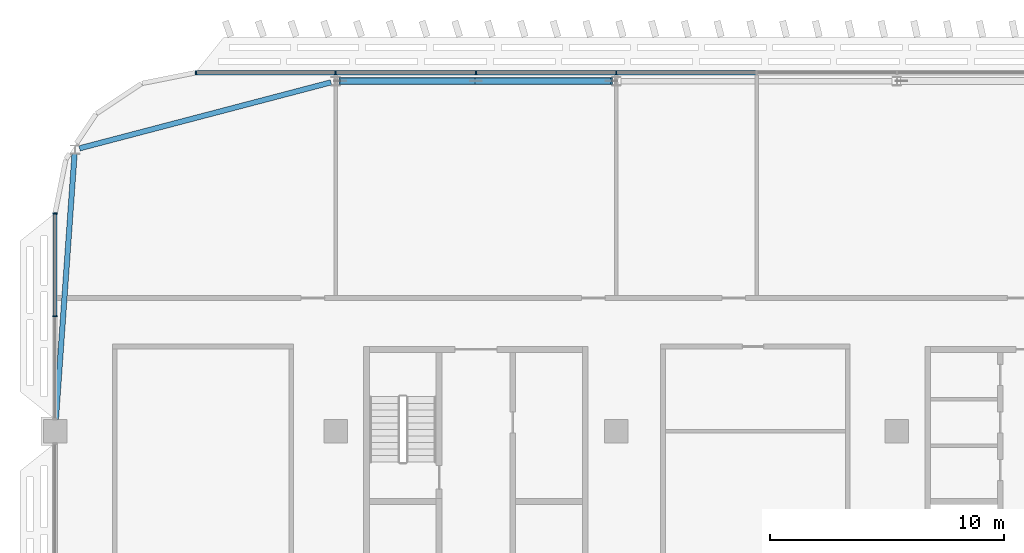
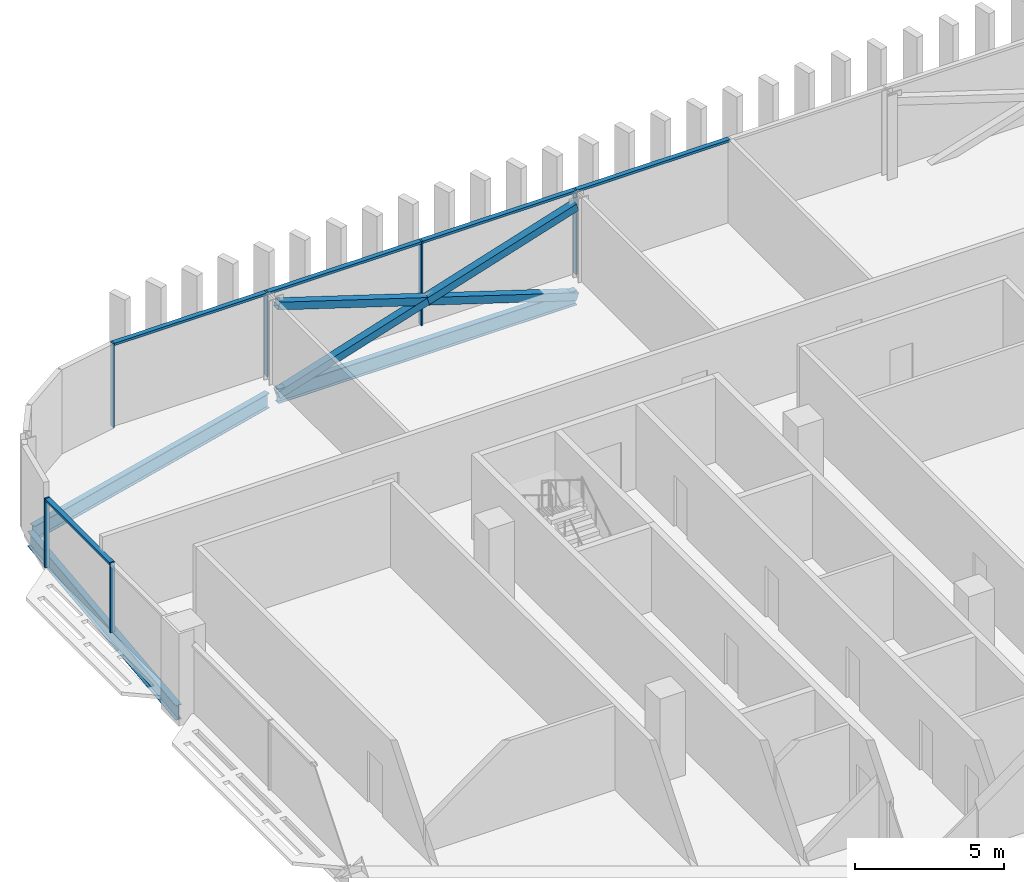
# One storey, part 9 of 35: 14 members, 3 beams, 2 elements without a shape of their own.
"""IFC4 building model written with IfcOpenShell, lengths in metres."""

import ifcopenshell
import ifcopenshell.guid

model = None  # the IFC model being written
_history = None  # IfcOwnerHistory: only IFC2X3 demands one
_inside = {}  # id of a spatial element -> (the spatial element, [elements in it])
_under = {}  # id of a project, library or spatial element -> (it, [spatial elements below it])
_declared = {}  # id of a project -> (the project, [libraries it declares])
_typed = {}  # id of a type object -> (the type object, [elements of that type])
_made_of = {}  # id of a material, layer set ... -> (it, [elements and type objects made of it])


def new_model(schema):
    """Start an empty IFC model of exactly this schema.

    Asked for "IFC4X3", IfcOpenShell would pick the latest addendum, in which some entities
    have other attributes; the version numbers below select the first issue.
    IFC2X3 requires an IfcOwnerHistory on every rooted entity: one is made here for all.
    """
    global model, _history
    if schema == "IFC4X3":
        model = ifcopenshell.file(schema_version=(4, 3, 0, 0))
    else:
        model = ifcopenshell.file(schema=schema)
    _inside.clear()
    _under.clear()
    _declared.clear()
    _typed.clear()
    _made_of.clear()
    _history = None
    if model.schema == "IFC2X3":
        org = make("IfcOrganization", Name="unknown")
        user = make(
            "IfcPersonAndOrganization",
            ThePerson=make("IfcPerson", FamilyName="unknown"),
            TheOrganization=org,
        )
        app = make(
            "IfcApplication",
            ApplicationDeveloper=org,
            Version="unknown",
            ApplicationFullName="unknown",
            ApplicationIdentifier="unknown",
        )
        _history = make(
            "IfcOwnerHistory",
            OwningUser=user,
            OwningApplication=app,
            ChangeAction="ADDED",
            CreationDate=0,
        )
    return model


def make(cls, **values):
    """One entity of the class cls with the attributes given. An attribute that is None is left unset."""
    return model.create_entity(
        cls, **{name: value for name, value in values.items() if value is not None}
    )


def rooted(cls, **values):
    """An entity with a GlobalId (a new one), such as an element, a storey or a relation."""
    return make(cls, GlobalId=ifcopenshell.guid.new(), OwnerHistory=_history, **values)


def si_unit(unit_type, name, prefix=None):
    """IfcSIUnit, for example si_unit("LENGTHUNIT", "METRE", prefix="MILLI")."""
    return make("IfcSIUnit", UnitType=unit_type, Prefix=prefix, Name=name)


def assignment(units):
    """IfcUnitAssignment: the units of a project."""
    return None if units is None else make("IfcUnitAssignment", Units=units)


def point(xyz):
    """IfcCartesianPoint."""
    return None if xyz is None else make("IfcCartesianPoint", Coordinates=xyz)


def direction(xyz):
    """IfcDirection."""
    return None if xyz is None else make("IfcDirection", DirectionRatios=xyz)


def frame(location, z_axis=None, x_axis=None):
    """IfcAxis2Placement3D, a coordinate frame: its origin and axes. An axis left out is left unset."""
    return make(
        "IfcAxis2Placement3D",
        Location=point(location),
        Axis=direction(z_axis),
        RefDirection=direction(x_axis),
    )


def frame_2d(location, x_axis=None):
    """IfcAxis2Placement2D, a coordinate frame in the plane: its origin and x axis."""
    return make(
        "IfcAxis2Placement2D", Location=point(location), RefDirection=direction(x_axis)
    )


def origin():
    """The frame at (0, 0, 0) with its axes left unset."""
    return frame((0.0, 0.0, 0.0))


def origin_2d():
    """The frame at (0, 0) in the plane with its x axis left unset."""
    return frame_2d((0.0, 0.0))


def place(relative_to, where):
    """IfcLocalPlacement: puts the frame where relative to a parent placement (None: the world)."""
    return make(
        "IfcLocalPlacement", PlacementRelTo=relative_to, RelativePlacement=where
    )


def context(
    kind, dimensions, precision=None, world=None, true_north=None, identifier=None
):
    """IfcGeometricRepresentationContext, for example the 3D "Model" context."""
    return make(
        "IfcGeometricRepresentationContext",
        ContextIdentifier=identifier,
        ContextType=kind,
        CoordinateSpaceDimension=dimensions,
        Precision=precision,
        WorldCoordinateSystem=world,
        TrueNorth=true_north,
    )


def subcontext(parent, identifier, kind, view, scale=None):
    """IfcGeometricRepresentationSubContext, for example "Body" below "Model"."""
    return make(
        "IfcGeometricRepresentationSubContext",
        ContextIdentifier=identifier,
        ContextType=kind,
        ParentContext=parent,
        TargetScale=scale,
        TargetView=view,
    )


def project(units=None, contexts=None):
    """IfcProject with its units and contexts."""
    return rooted(
        "IfcProject",
        Name="project",
        RepresentationContexts=contexts,
        UnitsInContext=assignment(units),
    )


def spatial(cls, under=None, at=None, **own):
    """A site, building, storey or space (cls), placed at a placement, below another one or the project."""
    s = rooted(cls, ObjectPlacement=at, **own)
    if under is not None:
        _under.setdefault(under.id(), (under, []))[1].append(s)
    return s


def profile(cls, at=None, kind="AREA", **sizes):
    """A parametric profile (cls). Its sizes go by their IFC names, for example OverallWidth=200.0."""
    return make(cls, ProfileType=kind, Position=at, **sizes)


def rectangle(**sizes):
    """IfcRectangleProfileDef."""
    return profile("IfcRectangleProfileDef", **sizes)


def hollow_rectangle(**sizes):
    """IfcRectangleHollowProfileDef."""
    return profile("IfcRectangleHollowProfileDef", **sizes)


def i_section(**sizes):
    """IfcIShapeProfileDef."""
    return profile("IfcIShapeProfileDef", **sizes)


def extrude(swept, where, along, depth):
    """IfcExtrudedAreaSolid: the profile swept, set in the frame where, extruded along a direction by depth."""
    return make(
        "IfcExtrudedAreaSolid",
        SweptArea=swept,
        Position=where,
        ExtrudedDirection=direction(along),
        Depth=depth,
    )


def shape(context_of_items, identifier, shape_type, items):
    """IfcShapeRepresentation: the items that make up one representation, for example the "Body"."""
    return make(
        "IfcShapeRepresentation",
        ContextOfItems=context_of_items,
        RepresentationIdentifier=identifier,
        RepresentationType=shape_type,
        Items=items,
    )


def material(Name=None, Category=None):
    """IfcMaterial."""
    return make("IfcMaterial", Name=Name, Category=Category)


def material_profile(
    of_material, cross_section, Name=None, Category=None, Priority=None
):
    """IfcMaterialProfile: a cross section and its material."""
    return make(
        "IfcMaterialProfile",
        Name=Name,
        Material=of_material,
        Profile=cross_section,
        Priority=Priority,
        Category=Category,
    )


def profile_set(profiles, Name=None, composite=None):
    """IfcMaterialProfileSet."""
    return make(
        "IfcMaterialProfileSet",
        Name=Name,
        MaterialProfiles=profiles,
        CompositeProfile=composite,
    )


def made_of(thing, what):
    """Note that an element or type object is made of a material, layer set ...; save() writes the relation."""
    if what is not None:
        _made_of.setdefault(what.id(), (what, []))[1].append(thing)
    return thing


def type_object(cls, material=None, **own):
    """A type object (cls), such as IfcWallType, which elements share."""
    return made_of(rooted(cls, **own), material)


def element(
    cls,
    number,
    at=None,
    inside=None,
    cuts=None,
    type_object=None,
    material=None,
    context=None,
    identifier="Body",
    shape_type=None,
    held_by="IfcProductDefinitionShape",
    body=None,
    shapes=None,
    **own,
):
    """One element of the class cls, such as IfcWall. Its Tag is "e" and its number.

    at: its placement. inside: the storey or other place that contains it. cuts: it is an
    opening in that element (IfcRelVoidsElement). A single representation is given by context,
    identifier, shape_type and body (its items); several are given by shapes. held_by: the class
    of the entity that holds the representations. save() writes the other relations.
    """
    e = rooted(cls, Tag="e%d" % number, ObjectPlacement=at, **own)
    if body is not None:
        shapes = [shape(context, identifier, shape_type, body)]
    if shapes is not None:
        e.Representation = make(held_by, Representations=shapes)
    if inside is not None:
        _inside.setdefault(inside.id(), (inside, []))[1].append(e)
    if cuts is not None:
        rooted(
            "IfcRelVoidsElement", RelatingBuildingElement=cuts, RelatedOpeningElement=e
        )
    if type_object is not None:
        _typed.setdefault(type_object.id(), (type_object, []))[1].append(e)
    return made_of(e, material)


def aggregate(whole, parts):
    """IfcRelAggregates: a whole, such as a stair, and the parts it consists of."""
    return rooted("IfcRelAggregates", RelatingObject=whole, RelatedObjects=parts)


def save(model, path):
    """Write the relations noted so far, then the file.

    IfcRelAggregates (storeys below a building ...), IfcRelContainedInSpatialStructure (elements
    in a storey), IfcRelDefinesByType, IfcRelAssociatesMaterial and IfcRelDeclares: one each for
    every whole, place, type object, material and project.
    """
    for whole, parts in _under.values():
        aggregate(whole, parts)
    for where, things in _inside.values():
        rooted(
            "IfcRelContainedInSpatialStructure",
            RelatedElements=things,
            RelatingStructure=where,
        )
    for kind, things in _typed.values():
        rooted("IfcRelDefinesByType", RelatedObjects=things, RelatingType=kind)
    for what, things in _made_of.values():
        rooted("IfcRelAssociatesMaterial", RelatedObjects=things, RelatingMaterial=what)
    for by, libraries in _declared.values():
        rooted("IfcRelDeclares", RelatingContext=by, RelatedDefinitions=libraries)
    model.write(path)


model = new_model("IFC4")

# Units and contexts
model_context = context("Model", 3, precision=1e-05, world=origin(), true_north=direction((0.0, 1.0)))
body_context = subcontext(model_context, "Body", "Model", "MODEL_VIEW")
ifc_project = project(units=[si_unit("LENGTHUNIT", "METRE"), si_unit("AREAUNIT", "SQUARE_METRE"), si_unit("VOLUMEUNIT", "CUBIC_METRE"), si_unit("PLANEANGLEUNIT", "RADIAN"), si_unit("MASSUNIT", "GRAM", prefix="KILO")], contexts=[model_context])

# Site, building, storey
site_placement = place(None, origin())
site = spatial("IfcSite", under=ifc_project, at=site_placement, CompositionType="ELEMENT")
building_placement = place(site_placement, origin())
building = spatial("IfcBuilding", under=site, at=building_placement, Name="Mahtab Terrace Research Tower", CompositionType="ELEMENT")
storey_placement = place(building_placement, frame((0.0, 0.0, 251.39990234375)))
storey = spatial("IfcBuildingStorey", under=building, at=storey_placement, Name="L61", CompositionType="ELEMENT", Elevation=251.39990234375)

# Members
ifc_material_1 = material(Name="Steel ASTM A500 Gr C", Category="steel")
ifc_material_profile_1 = material_profile(ifc_material_1, hollow_rectangle(XDim=0.3046875, YDim=0.3046875, WallThickness=0.015869140625, at=origin_2d()), Name="HSS12X12X5/8")
ifc_profile_set_1 = profile_set([ifc_material_profile_1], Name="Steel ASTM A500 Gr C")
member_type_1 = type_object("IfcMemberType", Name="HSS 12x12x5/8 brace XB121258", PredefinedType="BRACE", material=ifc_profile_set_1)
member_1_placement = place(storey_placement, frame((-18.199462890625, 26.472900390625, -0.580322265625), z_axis=(-0.953338568311, 0.0, 0.301903252998), x_axis=(0.0, -1.0, 0.0)))
element("IfcMember", 1, at=member_1_placement, inside=storey, type_object=member_type_1, Name="Exoskeleton brace L61 07 a", PredefinedType="BRACE", context=body_context, shape_type="SweptSolid", body=[
    extrude(hollow_rectangle(XDim=0.3046875, YDim=0.3046875, WallThickness=0.015869140625, at=origin_2d()), origin(), (0.0, 0.0, 1.0), 12.1689453125),
])
for number, where, z_axis, x_axis, name in (
    (2, (-29.800537109375, 26.472900390625, -0.580322265625), (0.953338568311, 0.0, 0.301903252998), (0.0, 1.0, 0.0), "Exoskeleton brace L61 07 b1"),
    (3, (-24.0, 26.472900390625, 1.256591796875), (0.953338568311, 0.0, 0.301903252998), (0.0, 1.0, 0.0), "Exoskeleton brace L61 07 b2"),
):
    element("IfcMember", number, at=place(storey_placement, frame(where, z_axis=z_axis, x_axis=x_axis)), inside=storey, type_object=member_type_1, Name=name, PredefinedType="BRACE", context=body_context, shape_type="SweptSolid", body=[
        extrude(hollow_rectangle(XDim=0.3046875, YDim=0.3046875, WallThickness=0.015869140625, at=origin_2d()), origin(), (0.0, 0.0, 1.0), 6.08447265625),
    ])

# Curtain wall, members
ifc_material_2 = material(Name="Office ribbon curtain wall")
curtain_wall_type = type_object("IfcCurtainWallType", Name="Office ribbon curtain wall", PredefinedType="NOTDEFINED", material=ifc_material_2)
curtain_wall_1_placement = place(storey_placement, origin())
curtain_wall_1 = element("IfcCurtainWall", 4, at=curtain_wall_1_placement, inside=storey, type_object=curtain_wall_type, Name="EN.L61.3.4", PredefinedType="NOTDEFINED")
ifc_material_3 = material(Name="Natural anodised aluminium", Category="aluminium")
ifc_material_profile_2 = material_profile(ifc_material_3, rectangle(XDim=0.179931640625, YDim=0.06005859375, at=origin_2d()), Name="MULLION 60x180")
ifc_profile_set_2 = profile_set([ifc_material_profile_2], Name="Natural anodised aluminium")
member_type_2 = type_object("IfcMemberType", Name="Office ribbon curtain wall mullion", PredefinedType="MULLION", material=ifc_profile_set_2)
member_2_placement = place(storey_placement, frame((-18.0, 26.833984375, 0.0), z_axis=(0.0, 0.0, 1.0), x_axis=(0.0, -1.0, 0.0)))
member_2 = element("IfcMember", 5, at=member_2_placement, type_object=member_type_2, Name="CWO-7 mullion 12", PredefinedType="MULLION", context=body_context, shape_type="SweptSolid", body=[
    extrude(rectangle(XDim=0.179931640625, YDim=0.06005859375, at=origin_2d()), origin(), (0.0, 0.0, 1.0), 3.460205078125),
])
member_3_placement = place(storey_placement, frame((-24.0, 26.833984375, 0.0), z_axis=(0.0, 0.0, 1.0), x_axis=(0.0, -1.0, 0.0)))
member_3 = element("IfcMember", 6, at=member_3_placement, type_object=member_type_2, Name="CWO-7 mullion 13", PredefinedType="MULLION", context=body_context, shape_type="SweptSolid", body=[
    extrude(rectangle(XDim=0.179931640625, YDim=0.06005859375, at=origin_2d()), origin(), (0.0, 0.0, 1.0), 3.460205078125),
])
member_4_placement = place(storey_placement, frame((-30.0, 26.833984375, 0.0), z_axis=(0.0, 0.0, 1.0), x_axis=(0.0, -1.0, 0.0)))
member_4 = element("IfcMember", 7, at=member_4_placement, type_object=member_type_2, Name="CWO-7 mullion 14", PredefinedType="MULLION", context=body_context, shape_type="SweptSolid", body=[
    extrude(rectangle(XDim=0.179931640625, YDim=0.06005859375, at=origin_2d()), origin(), (0.0, 0.0, 1.0), 3.460205078125),
])
member_5_placement = place(storey_placement, frame((-35.969970703125, 26.833984375, 0.0), z_axis=(0.0, 0.0, 1.0), x_axis=(0.0, -1.0, 0.0)))
member_5 = element("IfcMember", 8, at=member_5_placement, type_object=member_type_2, Name="CWO-7 mullion 15", PredefinedType="MULLION", context=body_context, shape_type="SweptSolid", body=[
    extrude(rectangle(XDim=0.179931640625, YDim=0.06005859375, at=origin_2d()), origin(), (0.0, 0.0, 1.0), 3.460205078125),
])

curtain_wall_2_placement = place(storey_placement, origin())
curtain_wall_2 = element("IfcCurtainWall", 9, at=curtain_wall_2_placement, inside=storey, type_object=curtain_wall_type, Name="EN.L61.8.10", PredefinedType="NOTDEFINED")
member_6_placement = place(storey_placement, frame((-42.0, 20.803955078125, 0.0), z_axis=(0.0, 0.0, 1.0), x_axis=(1.0, 0.0, 0.0)))
member_6 = element("IfcMember", 10, at=member_6_placement, type_object=member_type_2, Name="CWO-7 mullion 1", PredefinedType="MULLION", context=body_context, shape_type="SweptSolid", body=[
    extrude(rectangle(XDim=0.179931640625, YDim=0.06005859375, at=origin_2d()), origin(), (0.0, 0.0, 1.0), 2.85302734375),
])
member_7_placement = place(storey_placement, frame((-42.0, 16.4169921875, 0.0), z_axis=(0.0, 0.0, 1.0), x_axis=(1.0, 0.0, 0.0)))
member_7 = element("IfcMember", 11, at=member_7_placement, type_object=member_type_2, Name="CWO-7 mullion 2", PredefinedType="MULLION", context=body_context, shape_type="SweptSolid", body=[
    extrude(rectangle(XDim=0.179931640625, YDim=0.06005859375, at=origin_2d()), origin(), (0.0, 0.0, 1.0), 2.85302734375),
])

# Member
ifc_material_profile_3 = material_profile(ifc_material_3, rectangle(XDim=0.179931640625, YDim=0.10009765625, at=origin_2d()), Name="TRANSOM 100x180")
ifc_profile_set_3 = profile_set([ifc_material_profile_3], Name="Natural anodised aluminium")
member_type_3 = type_object("IfcMemberType", Name="Office ribbon curtain wall transom", PredefinedType="USERDEFINED", material=ifc_profile_set_3)
member_8_placement = place(storey_placement, frame((-12.030029296875, 26.833984375, 3.41015625), z_axis=(-1.0, 0.0, 0.0), x_axis=(0.0, -1.0, 0.0)))
member_8 = element("IfcMember", 12, at=member_8_placement, type_object=member_type_3, Name="CWO-7 transom 11", ObjectType="TRANSOM", PredefinedType="USERDEFINED", context=body_context, shape_type="SweptSolid", body=[
    extrude(rectangle(XDim=0.179931640625, YDim=0.10009765625, at=origin_2d()), origin(), (0.0, 0.0, 1.0), 5.93994140625),
])

member_9_placement = place(storey_placement, frame((-18.030029296875, 26.833984375, 3.41015625), z_axis=(-1.0, 0.0, 0.0), x_axis=(0.0, -1.0, 0.0)))
member_9 = element("IfcMember", 13, at=member_9_placement, type_object=member_type_3, Name="CWO-7 transom 12", ObjectType="TRANSOM", PredefinedType="USERDEFINED", context=body_context, shape_type="SweptSolid", body=[
    extrude(rectangle(XDim=0.179931640625, YDim=0.10009765625, at=origin_2d()), origin(), (0.0, 0.0, 1.0), 5.93994140625),
])

member_10_placement = place(storey_placement, frame((-24.030029296875, 26.833984375, 3.41015625), z_axis=(-1.0, 0.0, 0.0), x_axis=(0.0, -1.0, 0.0)))
member_10 = element("IfcMember", 14, at=member_10_placement, type_object=member_type_3, Name="CWO-7 transom 13", ObjectType="TRANSOM", PredefinedType="USERDEFINED", context=body_context, shape_type="SweptSolid", body=[
    extrude(rectangle(XDim=0.179931640625, YDim=0.10009765625, at=origin_2d()), origin(), (0.0, 0.0, 1.0), 5.93994140625),
])

member_11_placement = place(storey_placement, frame((-30.030029296875, 26.833984375, 3.41015625), z_axis=(-1.0, 0.0, 0.0), x_axis=(0.0, -1.0, 0.0)))
member_11 = element("IfcMember", 15, at=member_11_placement, type_object=member_type_3, Name="CWO-7 transom 14", ObjectType="TRANSOM", PredefinedType="USERDEFINED", context=body_context, shape_type="SweptSolid", body=[
    extrude(rectangle(XDim=0.179931640625, YDim=0.10009765625, at=origin_2d()), origin(), (0.0, 0.0, 1.0), 5.909912109375),
])

aggregate(curtain_wall_1, [member_2, member_3, member_4, member_5, member_8, member_9, member_10, member_11])

member_12_placement = place(storey_placement, frame((-42.0, 20.77392578125, 2.802978515625), z_axis=(0.0, -1.0, 0.0), x_axis=(1.0, 0.0, 0.0)))
member_12 = element("IfcMember", 16, at=member_12_placement, type_object=member_type_3, Name="CWO-7 transom 1", ObjectType="TRANSOM", PredefinedType="USERDEFINED", context=body_context, shape_type="SweptSolid", body=[
    extrude(rectangle(XDim=0.179931640625, YDim=0.10009765625, at=origin_2d()), origin(), (0.0, 0.0, 1.0), 4.326904296875),
])

aggregate(curtain_wall_2, [member_6, member_7, member_12])

# Beams
ifc_material_4 = material(Name="Steel ASTM A992 Gr 50", Category="steel")
ifc_material_profile_4 = material_profile(ifc_material_4, i_section(OverallWidth=0.228271484375, OverallDepth=0.607177734375, WebThickness=0.01123046875, FlangeThickness=0.017333984375, at=origin_2d()), Name="W24X76")
ifc_profile_set_4 = profile_set([ifc_material_profile_4], Name="Steel ASTM A992 Gr 50")
beam_type = type_object("IfcBeamType", Name="W24x76 beam BS2476", PredefinedType="BEAM", material=ifc_profile_set_4)
beam_1_placement = place(storey_placement, frame((-18.199462890625, 26.472900390625, -0.6435546875), z_axis=(-1.0, 0.0, 0.0), x_axis=(0.0, -1.0, 0.0)))
element("IfcBeam", 17, at=beam_1_placement, inside=storey, type_object=beam_type, Name="Spandrel beam L61 07", PredefinedType="BEAM", context=body_context, shape_type="SweptSolid", body=[
    extrude(i_section(OverallWidth=0.228271484375, OverallDepth=0.607177734375, WebThickness=0.01123046875, FlangeThickness=0.017333984375, at=origin_2d()), origin(), (0.0, 0.0, 1.0), 11.60107421875),
])
beam_2_placement = place(storey_placement, frame((-30.199462890625, 26.420654296875, -0.6435546875), z_axis=(-0.967252058434, -0.253817760323, 0.0), x_axis=(0.253817760323, -0.967252058434, 0.0)))
element("IfcBeam", 18, at=beam_2_placement, inside=storey, type_object=beam_type, Name="Spandrel beam L61 08", PredefinedType="BEAM", context=body_context, shape_type="SweptSolid", body=[
    extrude(i_section(OverallWidth=0.228271484375, OverallDepth=0.607177734375, WebThickness=0.01123046875, FlangeThickness=0.017333984375, at=origin_2d()), origin(), (0.0, 0.0, 1.0), 11.119140625),
])
beam_3_placement = place(storey_placement, frame((-41.16748046875, 23.35302734375, -0.6435546875), z_axis=(-0.070060954326, -0.997542712208, 0.0), x_axis=(0.997542712208, -0.070060954326, 0.0)))
element("IfcBeam", 19, at=beam_3_placement, inside=storey, type_object=beam_type, Name="Spandrel beam L61 09", PredefinedType="BEAM", context=body_context, shape_type="SweptSolid", body=[
    extrude(i_section(OverallWidth=0.228271484375, OverallDepth=0.607177734375, WebThickness=0.01123046875, FlangeThickness=0.017333984375, at=origin_2d()), origin(), (0.0, 0.0, 1.0), 11.381103515625),
])

save(model, "model.ifc")
